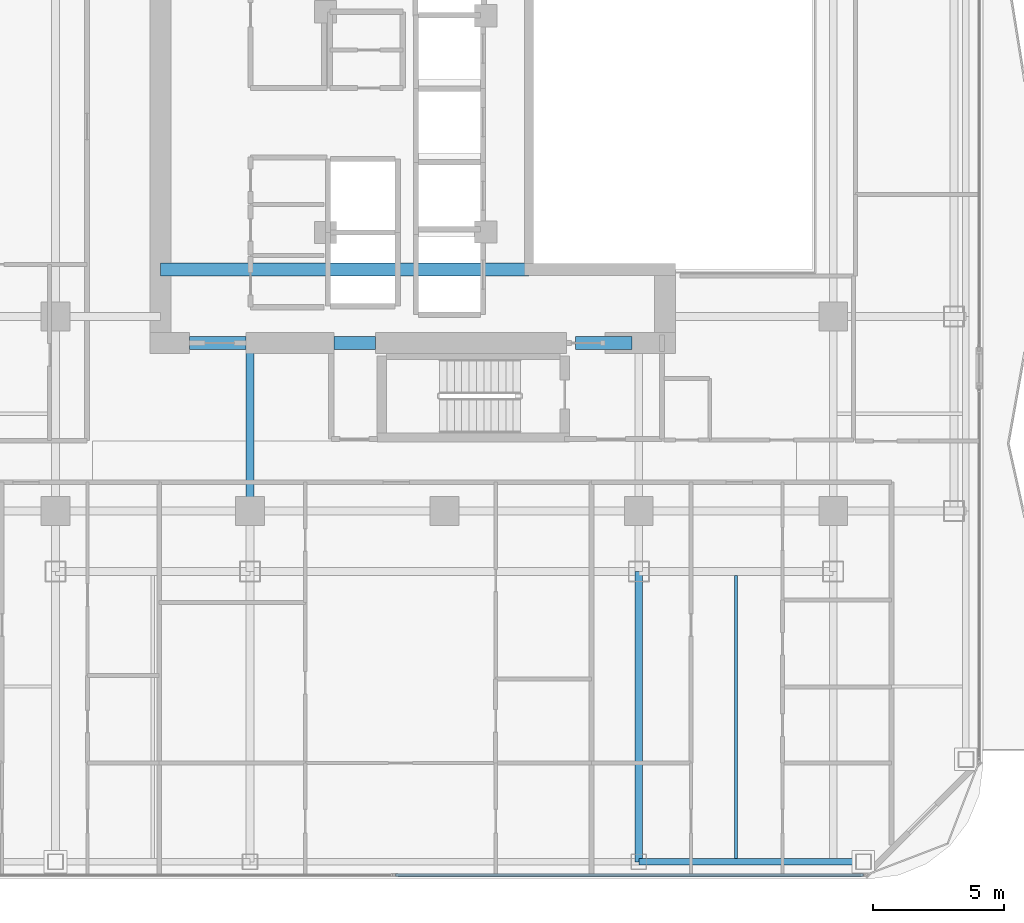
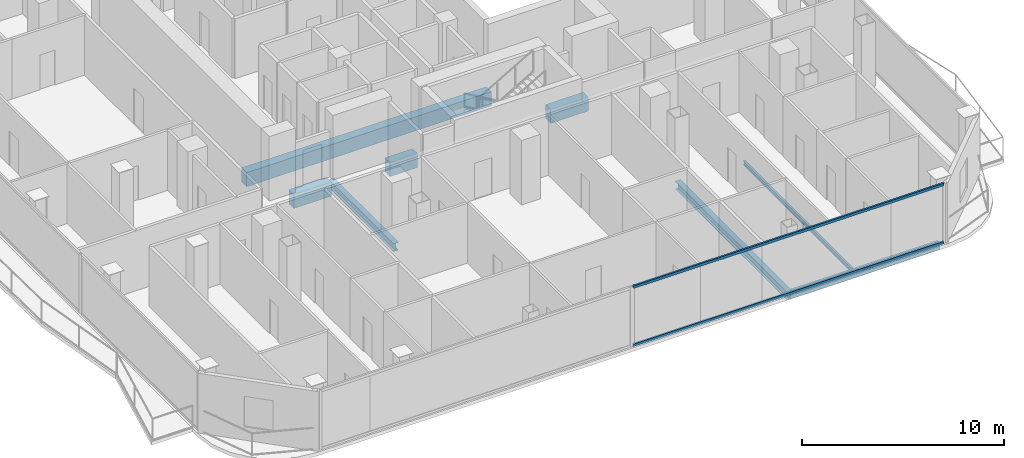
# One storey, part 7 of 24: 8 beams, 2 members, 1 element without a shape of its own.
"""IFC4 building model written with IfcOpenShell, lengths in metres."""

from ifc_helpers import new_model, si_unit, direction, frame, origin, origin_2d, place, context, subcontext, project, spatial, rectangle, hollow_rectangle, i_section, extrude, material, layer, layer_set, material_profile, profile_set, type_object, element, aggregate, save


model = new_model("IFC4")

# Units and contexts
model_context = context("Model", 3, precision=1e-05, world=origin(), true_north=direction((0.0, 1.0)))
body_context = subcontext(model_context, "Body", "Model", "MODEL_VIEW")
ifc_project = project(units=[si_unit("LENGTHUNIT", "METRE"), si_unit("AREAUNIT", "SQUARE_METRE"), si_unit("VOLUMEUNIT", "CUBIC_METRE"), si_unit("PLANEANGLEUNIT", "RADIAN"), si_unit("MASSUNIT", "GRAM", prefix="KILO")], contexts=[model_context])

# Site, building, storey
site_placement = place(None, origin())
site = spatial("IfcSite", under=ifc_project, at=site_placement, CompositionType="ELEMENT")
building_placement = place(site_placement, origin())
building = spatial("IfcBuilding", under=site, at=building_placement, Name="Khorvyn Point Tower", CompositionType="ELEMENT")
storey_placement = place(building_placement, frame((0.0, 0.0, 215.699951171875)))
storey = spatial("IfcBuildingStorey", under=building, at=storey_placement, Name="L53", CompositionType="ELEMENT", Elevation=215.699951171875)

# Curtain wall, members
ifc_material_1 = material(Name="Anodised aluminium 6063-T6 and laminated Low-E glass", Category="aluminium")
ifc_layer = layer(ifc_material_1, 0.18994140625)
ifc_layer_set = layer_set([ifc_layer], Name="Stick-Built Acoustic Curtain Wall CW-SYS-03")
curtain_wall_type = type_object("IfcCurtainWallType", Name="Stick-Built Acoustic Curtain Wall CW-SYS-03", PredefinedType="NOTDEFINED", material=ifc_layer_set)
curtain_wall_placement = place(storey_placement, origin())
curtain_wall = element("IfcCurtainWall", 1, at=curtain_wall_placement, inside=storey, type_object=curtain_wall_type, Name="Curtain Wall", PredefinedType="NOTDEFINED")
ifc_material_2 = material(Name="Anodised aluminium 6063-T6", Category="aluminium")
ifc_material_profile_1 = material_profile(ifc_material_2, hollow_rectangle(XDim=0.10009765625, YDim=0.159912109375, WallThickness=0.00439453125, at=origin_2d()))
ifc_profile_set_1 = profile_set([ifc_material_profile_1], Name="Anodised aluminium 6063-T6 ALU-TRN-100x160")
member_type = type_object("IfcMemberType", Name="Anodised Aluminium 6063-T6 Transom ALU-TRN-100x160", PredefinedType="USERDEFINED", material=ifc_profile_set_1)
member_1_placement = place(storey_placement, frame((15.949951171875, -28.64990234375, 0.050048828125), z_axis=(-1.0, 0.0, 0.0), x_axis=(0.0, -1.0, 0.0)))
member_1 = element("IfcMember", 2, at=member_1_placement, type_object=member_type, Name="Transom", ObjectType="TRANSOM", PredefinedType="USERDEFINED", context=body_context, shape_type="SweptSolid", body=[
    extrude(hollow_rectangle(XDim=0.10009765625, YDim=0.159912109375, WallThickness=0.00439453125, at=origin_2d()), origin(), (0.0, 0.0, 1.0), 17.800048828125),
])
member_2_placement = place(storey_placement, frame((15.949951171875, -28.64990234375, 3.570068359375), z_axis=(-1.0, 0.0, 0.0), x_axis=(0.0, -1.0, 0.0)))
member_2 = element("IfcMember", 3, at=member_2_placement, type_object=member_type, Name="Transom", ObjectType="TRANSOM", PredefinedType="USERDEFINED", context=body_context, shape_type="SweptSolid", body=[
    extrude(hollow_rectangle(XDim=0.10009765625, YDim=0.159912109375, WallThickness=0.00439453125, at=origin_2d()), origin(), (0.0, 0.0, 1.0), 17.800048828125),
])
aggregate(curtain_wall, [member_1, member_2])

# Beams
ifc_material_3 = material(Name="Concrete C45/55", Category="concrete")
ifc_material_profile_2 = material_profile(ifc_material_3, rectangle(XDim=0.5, YDim=0.85009765625, at=origin_2d()))
ifc_profile_set_2 = profile_set([ifc_material_profile_2], Name="Concrete C45/55 RC500x850")
beam_type_1 = type_object("IfcBeamType", Name="Concrete C45/55 Beam RC500x850", PredefinedType="BEAM", material=ifc_profile_set_2)
beam_1_placement = place(storey_placement, frame((-10.800048828125, -5.60009765625, -0.64501953125), z_axis=(1.0, 0.0, 0.0), x_axis=(0.0, 1.0, 0.0)))
element("IfcBeam", 4, at=beam_1_placement, inside=storey, type_object=beam_type_1, Name="L53 Core Internal Tie Girder S", PredefinedType="BEAM", context=body_context, shape_type="SweptSolid", body=[
    extrude(rectangle(XDim=0.5, YDim=0.85009765625, at=origin_2d()), origin(), (0.0, 0.0, 1.0), 14.02001953125),
])
beam_2_placement = place(storey_placement, frame((-9.699951171875, -8.39990234375, -0.64501953125), z_axis=(1.0, 0.0, 0.0), x_axis=(0.0, 1.0, 0.0)))
element("IfcBeam", 5, at=beam_2_placement, inside=storey, type_object=beam_type_1, Name="L53 Core Southwest Portal Coupling Beam", PredefinedType="BEAM", context=body_context, shape_type="SweptSolid", body=[
    extrude(rectangle(XDim=0.5, YDim=0.85009765625, at=origin_2d()), origin(), (0.0, 0.0, 1.0), 2.14990234375),
])
beam_3_placement = place(storey_placement, frame((-4.199951171875, -8.39990234375, -0.64501953125), z_axis=(1.0, 0.0, 0.0), x_axis=(0.0, 1.0, 0.0)))
element("IfcBeam", 6, at=beam_3_placement, inside=storey, type_object=beam_type_1, Name="L53 Core Shuttle Portal Coupling Beam", PredefinedType="BEAM", context=body_context, shape_type="SweptSolid", body=[
    extrude(rectangle(XDim=0.5, YDim=0.85009765625, at=origin_2d()), origin(), (0.0, 0.0, 1.0), 1.579833984375),
])
beam_4_placement = place(storey_placement, frame((5.0, -8.39990234375, -0.64501953125), z_axis=(1.0, 0.0, 0.0), x_axis=(0.0, 1.0, 0.0)))
element("IfcBeam", 7, at=beam_4_placement, inside=storey, type_object=beam_type_1, Name="L53 Core Southeast Portal Coupling Beam", PredefinedType="BEAM", context=body_context, shape_type="SweptSolid", body=[
    extrude(rectangle(XDim=0.5, YDim=0.85009765625, at=origin_2d()), origin(), (0.0, 0.0, 1.0), 2.14990234375),
])
ifc_material_4 = material(Name="Steel S355", Category="steel")
ifc_material_profile_3 = material_profile(ifc_material_4, i_section(OverallWidth=0.125, OverallDepth=0.25, WebThickness=0.006103515625, FlangeThickness=0.009033203125, at=origin_2d()))
ifc_profile_set_3 = profile_set([ifc_material_profile_3], Name="Steel S355 H250x125x6x9")
beam_type_2 = type_object("IfcBeamType", Name="Steel S355 Joist H250x125x6x9", PredefinedType="JOIST", material=ifc_profile_set_3)
beam_5_placement = place(storey_placement, frame((11.10009765625, -28.02490234375, -0.344970703125), z_axis=(0.0, 1.0, 0.0), x_axis=(-1.0, 0.0, 0.0)))
element("IfcBeam", 8, at=beam_5_placement, inside=storey, type_object=beam_type_2, Name="Beam", PredefinedType="JOIST", context=body_context, shape_type="SweptSolid", body=[
    extrude(i_section(OverallWidth=0.125, OverallDepth=0.25, WebThickness=0.006103515625, FlangeThickness=0.009033203125, at=origin_2d()), origin(), (0.0, 0.0, 1.0), 10.77490234375),
])
ifc_material_profile_4 = material_profile(ifc_material_4, i_section(OverallWidth=0.300048828125, OverallDepth=0.488037109375, WebThickness=0.010986328125, FlangeThickness=0.01806640625, at=origin_2d()))
ifc_profile_set_4 = profile_set([ifc_material_profile_4], Name="Steel S355 H488x300x11x18")
beam_type_3 = type_object("IfcBeamType", Name="Steel S355 Spandrel H488x300x11x18", PredefinedType="SPANDREL", material=ifc_profile_set_4)
beam_6_placement = place(storey_placement, frame((-7.39990234375, -14.800048828125, -0.4638671875), z_axis=(0.0, 1.0, 0.0), x_axis=(-1.0, 0.0, 0.0)))
element("IfcBeam", 9, at=beam_6_placement, inside=storey, type_object=beam_type_3, Name="Beam", PredefinedType="SPANDREL", context=body_context, shape_type="SweptSolid", body=[
    extrude(i_section(OverallWidth=0.300048828125, OverallDepth=0.488037109375, WebThickness=0.010986328125, FlangeThickness=0.01806640625, at=origin_2d()), origin(), (0.0, 0.0, 1.0), 6.400146484375),
])
beam_7_placement = place(storey_placement, frame((7.39990234375, -28.14990234375, -0.4638671875), z_axis=(0.0, 1.0, 0.0), x_axis=(-1.0, 0.0, 0.0)))
element("IfcBeam", 10, at=beam_7_placement, inside=storey, type_object=beam_type_3, Name="Beam", PredefinedType="SPANDREL", context=body_context, shape_type="SweptSolid", body=[
    extrude(i_section(OverallWidth=0.300048828125, OverallDepth=0.488037109375, WebThickness=0.010986328125, FlangeThickness=0.01806640625, at=origin_2d()), origin(), (0.0, 0.0, 1.0), 11.0498046875),
])
ifc_material_profile_5 = material_profile(ifc_material_4, hollow_rectangle(XDim=0.25, YDim=0.39990234375, WallThickness=0.01611328125, at=origin_2d()))
ifc_profile_set_5 = profile_set([ifc_material_profile_5], Name="Steel S355 RHS400x250x16")
beam_type_4 = type_object("IfcBeamType", Name="Steel S355 Spandrel RHS400x250x16", PredefinedType="SPANDREL", material=ifc_profile_set_5)
beam_8_placement = place(storey_placement, frame((7.39990234375, -28.14990234375, -0.419921875), z_axis=(1.0, 0.0, 0.0), x_axis=(0.0, 1.0, 0.0)))
element("IfcBeam", 11, at=beam_8_placement, inside=storey, type_object=beam_type_4, Name="Beam", PredefinedType="SPANDREL", context=body_context, shape_type="SweptSolid", body=[
    extrude(hollow_rectangle(XDim=0.25, YDim=0.39990234375, WallThickness=0.01611328125, at=origin_2d()), origin(), (0.0, 0.0, 1.0), 8.550048828125),
])

save(model, "model.ifc")
